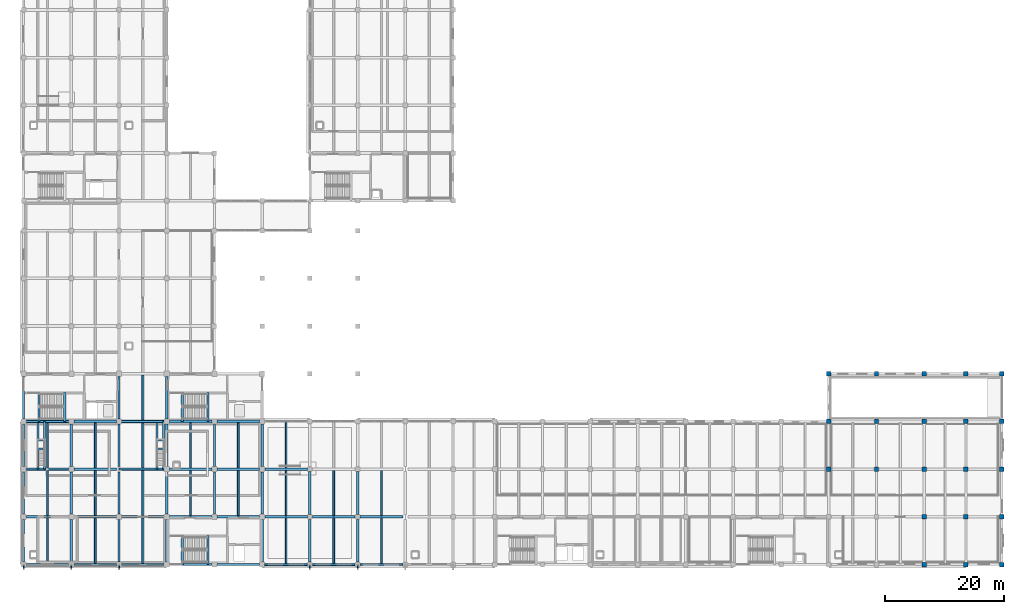
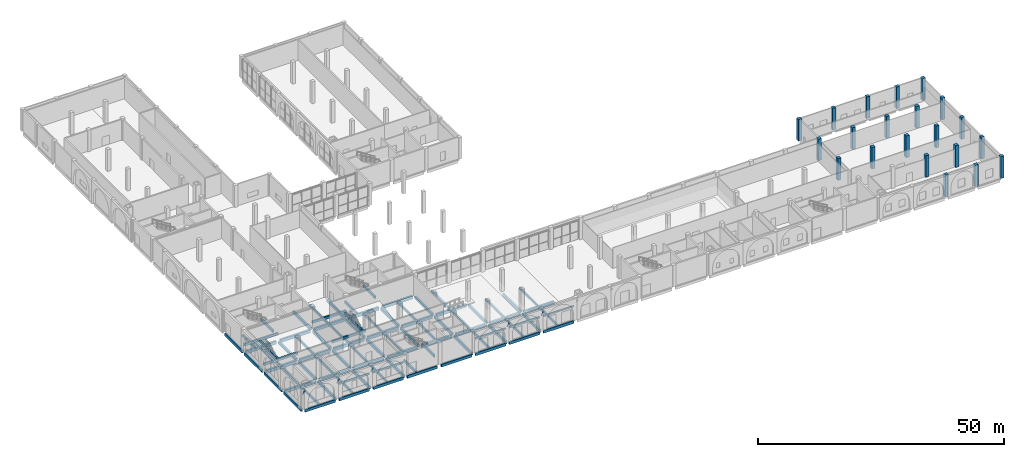
# One storey, part 2 of 40: 95 beams, 21 columns, 5 members.
"""IFC4 building model written with IfcOpenShell, lengths in metres."""

from ifc_helpers import new_model, si_unit, direction, frame, origin, origin_2d, place, context, subcontext, project, spatial, rectangle, hollow_circle, extrude, material, material_profile, profile_set, type_object, element, save


model = new_model("IFC4")

# Units and contexts
model_context = context("Model", 3, precision=1e-05, world=origin(), true_north=direction((0.0, 1.0)))
body_context = subcontext(model_context, "Body", "Model", "MODEL_VIEW")
ifc_project = project(units=[si_unit("LENGTHUNIT", "METRE"), si_unit("AREAUNIT", "SQUARE_METRE"), si_unit("VOLUMEUNIT", "CUBIC_METRE"), si_unit("PLANEANGLEUNIT", "RADIAN"), si_unit("MASSUNIT", "GRAM", prefix="KILO")], contexts=[model_context])

# Site, building, storey
site_placement = place(None, origin())
site = spatial("IfcSite", under=ifc_project, at=site_placement, CompositionType="ELEMENT")
building_placement = place(site_placement, origin())
building = spatial("IfcBuilding", under=site, at=building_placement, Name="Qorikala Patio Media Centre", CompositionType="ELEMENT")
storey_placement = place(building_placement, origin())
storey = spatial("IfcBuildingStorey", under=building, at=storey_placement, Name="L00", CompositionType="ELEMENT", Elevation=0.0)

# Columns
ifc_material_1 = material(Name="Concrete C35/45", Category="concrete")
ifc_material_profile_1 = material_profile(ifc_material_1, rectangle(XDim=0.75, YDim=0.75, at=origin_2d()), Name="RC 750x750")
ifc_profile_set_1 = profile_set([ifc_material_profile_1], Name="Concrete C35/45")
column_type_1 = type_object("IfcColumnType", Name="RC-COL-750-EXT", PredefinedType="COLUMN", material=ifc_profile_set_1)
for number, where, z_axis, x_axis, name in (
    (1, (138.0, 27.0, 0.0), (0.0, 0.0, 1.0), (1.0, 0.0, 0.0), "L00 Column (138,27)"),
    (2, (138.0, 35.0, 0.0), (0.0, 0.0, 1.0), (1.0, 0.0, 0.0), "L00 Column (138,35)"),
    (3, (146.0, 35.0, 0.0), (0.0, 0.0, 1.0), (1.0, 0.0, 0.0), "L00 Column (146,35)"),
    (4, (154.0, 3.0, 0.0), (0.0, 0.0, 1.0), (1.0, 0.0, 0.0), "L00 Column (154,3)"),
    (5, (154.0, 35.0, 0.0), (0.0, 0.0, 1.0), (1.0, 0.0, 0.0), "L00 Column (154,35)"),
    (6, (161.0, 3.0, 0.0), (0.0, 0.0, 1.0), (1.0, 0.0, 0.0), "L00 Column (161,3)"),
    (7, (161.0, 35.0, 0.0), (0.0, 0.0, 1.0), (1.0, 0.0, 0.0), "L00 Column (161,35)"),
    (8, (167.0, 3.0, 0.0), (0.0, 0.0, 1.0), (1.0, 0.0, 0.0), "L00 Column (167,3)"),
    (9, (167.0, 11.0, 0.0), (0.0, 0.0, 1.0), (1.0, 0.0, 0.0), "L00 Column (167,11)"),
    (10, (167.0, 19.0, 0.0), (0.0, 0.0, 1.0), (1.0, 0.0, 0.0), "L00 Column (167,19)"),
    (11, (167.0, 27.0, 0.0), (0.0, 0.0, 1.0), (1.0, 0.0, 0.0), "L00 Column (167,27)"),
    (12, (167.0, 35.0, 0.0), (0.0, 0.0, 1.0), (1.0, 0.0, 0.0), "L00 Column (167,35)"),
):
    element("IfcColumn", number, at=place(storey_placement, frame(where, z_axis=z_axis, x_axis=x_axis)), inside=storey, type_object=column_type_1, Name=name, PredefinedType="COLUMN", context=body_context, shape_type="SweptSolid", body=[
        extrude(rectangle(XDim=0.75, YDim=0.75, at=origin_2d()), origin(), (0.0, 0.0, 1.0), 5.39990234375),
    ])
ifc_material_profile_2 = material_profile(ifc_material_1, rectangle(XDim=0.75, YDim=0.75, at=origin_2d()), Name="RC 750x750")
ifc_profile_set_2 = profile_set([ifc_material_profile_2], Name="Concrete C35/45")
column_type_2 = type_object("IfcColumnType", Name="RC-COL-750-INT", PredefinedType="COLUMN", material=ifc_profile_set_2)
for number, where, z_axis, x_axis, name in (
    (13, (138.0, 19.0, 0.0), (0.0, 0.0, 1.0), (1.0, 0.0, 0.0), "L00 Column (138,19)"),
    (14, (146.0, 19.0, 0.0), (0.0, 0.0, 1.0), (1.0, 0.0, 0.0), "L00 Column (146,19)"),
    (15, (146.0, 27.0, 0.0), (0.0, 0.0, 1.0), (1.0, 0.0, 0.0), "L00 Column (146,27)"),
    (16, (154.0, 11.0, 0.0), (0.0, 0.0, 1.0), (1.0, 0.0, 0.0), "L00 Column (154,11)"),
    (17, (154.0, 19.0, 0.0), (0.0, 0.0, 1.0), (1.0, 0.0, 0.0), "L00 Column (154,19)"),
    (18, (154.0, 27.0, 0.0), (0.0, 0.0, 1.0), (1.0, 0.0, 0.0), "L00 Column (154,27)"),
    (19, (161.0, 11.0, 0.0), (0.0, 0.0, 1.0), (1.0, 0.0, 0.0), "L00 Column (161,11)"),
    (20, (161.0, 19.0, 0.0), (0.0, 0.0, 1.0), (1.0, 0.0, 0.0), "L00 Column (161,19)"),
    (21, (161.0, 27.0, 0.0), (0.0, 0.0, 1.0), (1.0, 0.0, 0.0), "L00 Column (161,27)"),
):
    element("IfcColumn", number, at=place(storey_placement, frame(where, z_axis=z_axis, x_axis=x_axis)), inside=storey, type_object=column_type_2, Name=name, PredefinedType="COLUMN", context=body_context, shape_type="SweptSolid", body=[
        extrude(rectangle(XDim=0.75, YDim=0.75, at=origin_2d()), origin(), (0.0, 0.0, 1.0), 5.39990234375),
    ])

# Beams
ifc_material_profile_3 = material_profile(ifc_material_1, rectangle(XDim=0.35009765625, YDim=0.60009765625, at=origin_2d()), Name="RC 350x600")
ifc_profile_set_3 = profile_set([ifc_material_profile_3], Name="Concrete C35/45")
beam_type_1 = type_object("IfcBeamType", Name="BM-G350X600", PredefinedType="BEAM", material=ifc_profile_set_3)
beam_1_placement = place(storey_placement, frame((29.60009765625, 3.0, -0.300048828125), z_axis=(0.0, 1.0, 0.0), x_axis=(-1.0, 0.0, 0.0)))
element("IfcBeam", 22, at=beam_1_placement, inside=storey, type_object=beam_type_1, Name="L00 ST-1 Well Trimmer Beam", PredefinedType="BEAM", context=body_context, shape_type="SweptSolid", body=[
    extrude(rectangle(XDim=0.35009765625, YDim=0.60009765625, at=origin_2d()), origin(), (0.0, 0.0, 1.0), 4.8798828125),
])
beam_2_placement = place(storey_placement, frame((33.909912109375, 3.02001953125, 2.199951171875), z_axis=(0.0, 1.0, 0.0), x_axis=(-1.0, 0.0, 0.0)))
element("IfcBeam", 23, at=beam_2_placement, inside=storey, type_object=beam_type_1, Name="L00 ST-1 Landing Beam 1", PredefinedType="BEAM", context=body_context, shape_type="SweptSolid", body=[
    extrude(rectangle(XDim=0.35009765625, YDim=0.60009765625, at=origin_2d()), origin(), (0.0, 0.0, 1.0), 4.85986328125),
])
beam_3_placement = place(storey_placement, frame((5.60009765625, 27.0, -0.300048828125), z_axis=(0.0, 1.0, 0.0), x_axis=(-1.0, 0.0, 0.0)))
element("IfcBeam", 24, at=beam_3_placement, inside=storey, type_object=beam_type_1, Name="L00 ST-2 Well Trimmer Beam", PredefinedType="BEAM", context=body_context, shape_type="SweptSolid", body=[
    extrude(rectangle(XDim=0.35009765625, YDim=0.60009765625, at=origin_2d()), origin(), (0.0, 0.0, 1.0), 4.8798828125),
])
beam_4_placement = place(storey_placement, frame((9.909912109375, 27.02001953125, 2.199951171875), z_axis=(0.0, 1.0, 0.0), x_axis=(-1.0, 0.0, 0.0)))
element("IfcBeam", 25, at=beam_4_placement, inside=storey, type_object=beam_type_1, Name="L00 ST-2 Landing Beam 1", PredefinedType="BEAM", context=body_context, shape_type="SweptSolid", body=[
    extrude(rectangle(XDim=0.35009765625, YDim=0.60009765625, at=origin_2d()), origin(), (0.0, 0.0, 1.0), 4.85986328125),
])
beam_5_placement = place(storey_placement, frame((29.60009765625, 27.0, -0.300048828125), z_axis=(0.0, 1.0, 0.0), x_axis=(-1.0, 0.0, 0.0)))
element("IfcBeam", 26, at=beam_5_placement, inside=storey, type_object=beam_type_1, Name="L00 ST-5 Well Trimmer Beam", PredefinedType="BEAM", context=body_context, shape_type="SweptSolid", body=[
    extrude(rectangle(XDim=0.35009765625, YDim=0.60009765625, at=origin_2d()), origin(), (0.0, 0.0, 1.0), 4.8798828125),
])
beam_6_placement = place(storey_placement, frame((33.909912109375, 27.02001953125, 2.199951171875), z_axis=(0.0, 1.0, 0.0), x_axis=(-1.0, 0.0, 0.0)))
element("IfcBeam", 27, at=beam_6_placement, inside=storey, type_object=beam_type_1, Name="L00 ST-5 Landing Beam 1", PredefinedType="BEAM", context=body_context, shape_type="SweptSolid", body=[
    extrude(rectangle(XDim=0.35009765625, YDim=0.60009765625, at=origin_2d()), origin(), (0.0, 0.0, 1.0), 4.85986328125),
])
for number, where, z_axis, x_axis, name in (
    (28, (3.0, 19.0, 1.300048828125), (1.0, 0.0, 0.0), (0.0, 1.0, 0.0), "Vomitory VS-01 Transverse Grid Beam S"),
    (29, (3.0, 27.0, 1.300048828125), (1.0, 0.0, 0.0), (0.0, 1.0, 0.0), "Vomitory VS-01 Transverse Grid Beam N"),
    (30, (5.39990234375, 19.0, 1.300048828125), (0.0, 1.0, 0.0), (-1.0, 0.0, 0.0), "Vomitory VS-01 Longitudinal Stringer L"),
    (31, (6.5, 19.0, 1.300048828125), (0.0, 1.0, 0.0), (-1.0, 0.0, 0.0), "Vomitory VS-01 Longitudinal Stringer R"),
):
    element("IfcBeam", number, at=place(storey_placement, frame(where, z_axis=z_axis, x_axis=x_axis)), inside=storey, type_object=beam_type_1, Name=name, PredefinedType="BEAM", context=body_context, shape_type="SweptSolid", body=[
        extrude(rectangle(XDim=0.35009765625, YDim=0.60009765625, at=origin_2d()), origin(), (0.0, 0.0, 1.0), 8.0),
    ])
for number, where, z_axis, x_axis, name in (
    (32, (5.39990234375, 22.39990234375, 1.300048828125), (1.0, 0.0, 0.0), (0.0, 1.0, 0.0), "Vomitory VS-01 Landing Cross Beam FR"),
    (33, (5.39990234375, 23.89990234375, 1.300048828125), (1.0, 0.0, 0.0), (0.0, 1.0, 0.0), "Vomitory VS-01 Landing Cross Beam BK"),
):
    element("IfcBeam", number, at=place(storey_placement, frame(where, z_axis=z_axis, x_axis=x_axis)), inside=storey, type_object=beam_type_1, Name=name, PredefinedType="BEAM", context=body_context, shape_type="SweptSolid", body=[
        extrude(rectangle(XDim=0.35009765625, YDim=0.60009765625, at=origin_2d()), origin(), (0.0, 0.0, 1.0), 1.10009765625),
    ])
for number, where, z_axis, x_axis, name in (
    (34, (19.0, 19.0, 1.300048828125), (1.0, 0.0, 0.0), (0.0, 1.0, 0.0), "Vomitory VS-02 Transverse Grid Beam S"),
    (35, (19.0, 27.0, 1.300048828125), (1.0, 0.0, 0.0), (0.0, 1.0, 0.0), "Vomitory VS-02 Transverse Grid Beam N"),
    (36, (25.39990234375, 19.0, 1.300048828125), (0.0, 1.0, 0.0), (-1.0, 0.0, 0.0), "Vomitory VS-02 Longitudinal Stringer L"),
    (37, (26.5, 19.0, 1.300048828125), (0.0, 1.0, 0.0), (-1.0, 0.0, 0.0), "Vomitory VS-02 Longitudinal Stringer R"),
):
    element("IfcBeam", number, at=place(storey_placement, frame(where, z_axis=z_axis, x_axis=x_axis)), inside=storey, type_object=beam_type_1, Name=name, PredefinedType="BEAM", context=body_context, shape_type="SweptSolid", body=[
        extrude(rectangle(XDim=0.35009765625, YDim=0.60009765625, at=origin_2d()), origin(), (0.0, 0.0, 1.0), 8.0),
    ])
for number, where, z_axis, x_axis, name in (
    (38, (25.39990234375, 22.39990234375, 1.300048828125), (1.0, 0.0, 0.0), (0.0, 1.0, 0.0), "Vomitory VS-02 Landing Cross Beam FR"),
    (39, (25.39990234375, 23.89990234375, 1.300048828125), (1.0, 0.0, 0.0), (0.0, 1.0, 0.0), "Vomitory VS-02 Landing Cross Beam BK"),
):
    element("IfcBeam", number, at=place(storey_placement, frame(where, z_axis=z_axis, x_axis=x_axis)), inside=storey, type_object=beam_type_1, Name=name, PredefinedType="BEAM", context=body_context, shape_type="SweptSolid", body=[
        extrude(rectangle(XDim=0.35009765625, YDim=0.60009765625, at=origin_2d()), origin(), (0.0, 0.0, 1.0), 1.10009765625),
    ])
ifc_material_profile_4 = material_profile(ifc_material_1, rectangle(XDim=0.39990234375, YDim=0.699951171875, at=origin_2d()), Name="RC 400x700")
ifc_profile_set_4 = profile_set([ifc_material_profile_4], Name="Concrete C35/45")
beam_type_2 = type_object("IfcBeamType", Name="BM-G400X700", PredefinedType="BEAM", material=ifc_profile_set_4)
for number, where, z_axis, x_axis, name in (
    (40, (11.0, 3.449951171875, -0.64990234375), (0.0, 1.0, 0.0), (-1.0, 0.0, 0.0), "L00 Grid X=11 Beam 0172"),
    (41, (11.0, 11.449951171875, -0.64990234375), (0.0, 1.0, 0.0), (-1.0, 0.0, 0.0), "L00 Grid X=11 Beam 0173"),
    (42, (11.0, 19.449951171875, -0.64990234375), (0.0, 1.0, 0.0), (-1.0, 0.0, 0.0), "L00 Grid X=11 Beam 0174"),
    (43, (19.0, 3.449951171875, -0.64990234375), (0.0, 1.0, 0.0), (-1.0, 0.0, 0.0), "L00 Grid X=19 Beam 0185"),
    (44, (19.0, 11.449951171875, -0.64990234375), (0.0, 1.0, 0.0), (-1.0, 0.0, 0.0), "L00 Grid X=19 Beam 0186"),
    (45, (19.0, 19.449951171875, -0.64990234375), (0.0, 1.0, 0.0), (-1.0, 0.0, 0.0), "L00 Grid X=19 Beam 0187"),
    (46, (19.0, 27.449951171875, -0.64990234375), (0.0, 1.0, 0.0), (-1.0, 0.0, 0.0), "L00 Grid X=19 Beam 0188"),
    (47, (27.0, 3.449951171875, -0.64990234375), (0.0, 1.0, 0.0), (-1.0, 0.0, 0.0), "L00 Grid X=27 Beam 0200"),
    (48, (27.0, 11.449951171875, -0.64990234375), (0.0, 1.0, 0.0), (-1.0, 0.0, 0.0), "L00 Grid X=27 Beam 0201"),
    (49, (27.0, 19.449951171875, -0.64990234375), (0.0, 1.0, 0.0), (-1.0, 0.0, 0.0), "L00 Grid X=27 Beam 0202"),
    (50, (27.0, 27.449951171875, -0.64990234375), (0.0, 1.0, 0.0), (-1.0, 0.0, 0.0), "L00 Grid X=27 Beam 0203"),
    (51, (35.0, 11.449951171875, -0.64990234375), (0.0, 1.0, 0.0), (-1.0, 0.0, 0.0), "L00 Grid X=35 Beam 0215"),
    (52, (35.0, 19.449951171875, -0.64990234375), (0.0, 1.0, 0.0), (-1.0, 0.0, 0.0), "L00 Grid X=35 Beam 0216"),
    (53, (43.0, 3.449951171875, -0.64990234375), (0.0, 1.0, 0.0), (-1.0, 0.0, 0.0), "L00 Grid X=43 Beam 0222"),
    (54, (43.0, 11.449951171875, -0.64990234375), (0.0, 1.0, 0.0), (-1.0, 0.0, 0.0), "L00 Grid X=43 Beam 0223"),
    (55, (43.0, 19.449951171875, -0.64990234375), (0.0, 1.0, 0.0), (-1.0, 0.0, 0.0), "L00 Grid X=43 Beam 0224"),
):
    element("IfcBeam", number, at=place(storey_placement, frame(where, z_axis=z_axis, x_axis=x_axis)), inside=storey, type_object=beam_type_2, Name=name, PredefinedType="BEAM", context=body_context, shape_type="SweptSolid", body=[
        extrude(rectangle(XDim=0.39990234375, YDim=0.699951171875, at=origin_2d()), origin(), (0.0, 0.0, 1.0), 7.10009765625),
    ])
for number, where, z_axis, x_axis, name in (
    (56, (51.0, 3.425048828125, -0.64990234375), (0.0, 1.0, 0.0), (-1.0, 0.0, 0.0), "L00 Grid X=51 Beam 0227"),
    (57, (51.0, 11.425048828125, -0.64990234375), (0.0, 1.0, 0.0), (-1.0, 0.0, 0.0), "L00 Grid X=51 Beam 0228"),
    (58, (59.0, 3.425048828125, -0.64990234375), (0.0, 1.0, 0.0), (-1.0, 0.0, 0.0), "L00 Grid X=59 Beam 0237"),
    (59, (59.0, 11.425048828125, -0.64990234375), (0.0, 1.0, 0.0), (-1.0, 0.0, 0.0), "L00 Grid X=59 Beam 0238"),
):
    element("IfcBeam", number, at=place(storey_placement, frame(where, z_axis=z_axis, x_axis=x_axis)), inside=storey, type_object=beam_type_2, Name=name, PredefinedType="BEAM", context=body_context, shape_type="SweptSolid", body=[
        extrude(rectangle(XDim=0.39990234375, YDim=0.699951171875, at=origin_2d()), origin(), (0.0, 0.0, 1.0), 7.14990234375),
    ])
ifc_material_profile_5 = material_profile(ifc_material_1, rectangle(XDim=0.449951171875, YDim=0.75, at=origin_2d()), Name="RC 450x750")
ifc_profile_set_5 = profile_set([ifc_material_profile_5], Name="Concrete C35/45")
beam_type_3 = type_object("IfcBeamType", Name="BM-G450X750", PredefinedType="BEAM", material=ifc_profile_set_5)
for number, where, z_axis, x_axis, name in (
    (60, (3.449951171875, 11.0, -0.675048828125), (1.0, 0.0, 0.0), (0.0, 1.0, 0.0), "L00 Grid 11 Beam 0022"),
    (61, (11.449951171875, 11.0, -0.675048828125), (1.0, 0.0, 0.0), (0.0, 1.0, 0.0), "L00 Grid 11 Beam 0023"),
    (62, (19.449951171875, 11.0, -0.675048828125), (1.0, 0.0, 0.0), (0.0, 1.0, 0.0), "L00 Grid 11 Beam 0024"),
    (63, (27.449951171875, 11.0, -0.675048828125), (1.0, 0.0, 0.0), (0.0, 1.0, 0.0), "L00 Grid 11 Beam 0025"),
    (64, (35.449951171875, 11.0, -0.675048828125), (1.0, 0.0, 0.0), (0.0, 1.0, 0.0), "L00 Grid 11 Beam 0026"),
):
    element("IfcBeam", number, at=place(storey_placement, frame(where, z_axis=z_axis, x_axis=x_axis)), inside=storey, type_object=beam_type_3, Name=name, PredefinedType="BEAM", context=body_context, shape_type="SweptSolid", body=[
        extrude(rectangle(XDim=0.449951171875, YDim=0.75, at=origin_2d()), origin(), (0.0, 0.0, 1.0), 7.10009765625),
    ])
beam_7_placement = place(storey_placement, frame((43.449951171875, 11.0, -0.675048828125), z_axis=(1.0, 0.0, 0.0), x_axis=(0.0, 1.0, 0.0)))
element("IfcBeam", 65, at=beam_7_placement, inside=storey, type_object=beam_type_3, Name="L00 Grid 11 Beam 0027", PredefinedType="BEAM", context=body_context, shape_type="SweptSolid", body=[
    extrude(rectangle(XDim=0.449951171875, YDim=0.75, at=origin_2d()), origin(), (0.0, 0.0, 1.0), 7.125),
])
for number, where, z_axis, x_axis, name in (
    (66, (51.425048828125, 11.0, -0.675048828125), (1.0, 0.0, 0.0), (0.0, 1.0, 0.0), "L00 Grid 11 Beam 0028"),
    (67, (59.425048828125, 11.0, -0.675048828125), (1.0, 0.0, 0.0), (0.0, 1.0, 0.0), "L00 Grid 11 Beam 0029"),
):
    element("IfcBeam", number, at=place(storey_placement, frame(where, z_axis=z_axis, x_axis=x_axis)), inside=storey, type_object=beam_type_3, Name=name, PredefinedType="BEAM", context=body_context, shape_type="SweptSolid", body=[
        extrude(rectangle(XDim=0.449951171875, YDim=0.75, at=origin_2d()), origin(), (0.0, 0.0, 1.0), 7.14990234375),
    ])
for number, where, z_axis, x_axis, name in (
    (68, (3.449951171875, 19.0, -0.675048828125), (1.0, 0.0, 0.0), (0.0, 1.0, 0.0), "L00 Grid 19 Beam 0043"),
    (69, (11.449951171875, 19.0, -0.675048828125), (1.0, 0.0, 0.0), (0.0, 1.0, 0.0), "L00 Grid 19 Beam 0044"),
    (70, (19.449951171875, 19.0, -0.675048828125), (1.0, 0.0, 0.0), (0.0, 1.0, 0.0), "L00 Grid 19 Beam 0045"),
    (71, (27.449951171875, 19.0, -0.675048828125), (1.0, 0.0, 0.0), (0.0, 1.0, 0.0), "L00 Grid 19 Beam 0046"),
    (72, (35.449951171875, 19.0, -0.675048828125), (1.0, 0.0, 0.0), (0.0, 1.0, 0.0), "L00 Grid 19 Beam 0047"),
):
    element("IfcBeam", number, at=place(storey_placement, frame(where, z_axis=z_axis, x_axis=x_axis)), inside=storey, type_object=beam_type_3, Name=name, PredefinedType="BEAM", context=body_context, shape_type="SweptSolid", body=[
        extrude(rectangle(XDim=0.449951171875, YDim=0.75, at=origin_2d()), origin(), (0.0, 0.0, 1.0), 7.10009765625),
    ])
beam_8_placement = place(storey_placement, frame((43.449951171875, 19.0, -0.675048828125), z_axis=(1.0, 0.0, 0.0), x_axis=(0.0, 1.0, 0.0)))
element("IfcBeam", 73, at=beam_8_placement, inside=storey, type_object=beam_type_3, Name="L00 Grid 19 Beam 0048", PredefinedType="BEAM", context=body_context, shape_type="SweptSolid", body=[
    extrude(rectangle(XDim=0.449951171875, YDim=0.75, at=origin_2d()), origin(), (0.0, 0.0, 1.0), 7.125),
])
for number, where, z_axis, x_axis, name in (
    (74, (3.449951171875, 27.0, -0.675048828125), (1.0, 0.0, 0.0), (0.0, 1.0, 0.0), "L00 Grid 27 Beam 0064"),
    (75, (11.449951171875, 27.0, -0.675048828125), (1.0, 0.0, 0.0), (0.0, 1.0, 0.0), "L00 Grid 27 Beam 0065"),
    (76, (19.449951171875, 27.0, -0.675048828125), (1.0, 0.0, 0.0), (0.0, 1.0, 0.0), "L00 Grid 27 Beam 0066"),
    (77, (27.449951171875, 27.0, -0.675048828125), (1.0, 0.0, 0.0), (0.0, 1.0, 0.0), "L00 Grid 27 Beam 0067"),
    (78, (35.449951171875, 27.0, -0.675048828125), (1.0, 0.0, 0.0), (0.0, 1.0, 0.0), "L00 Grid 27 Beam 0068"),
):
    element("IfcBeam", number, at=place(storey_placement, frame(where, z_axis=z_axis, x_axis=x_axis)), inside=storey, type_object=beam_type_3, Name=name, PredefinedType="BEAM", context=body_context, shape_type="SweptSolid", body=[
        extrude(rectangle(XDim=0.449951171875, YDim=0.75, at=origin_2d()), origin(), (0.0, 0.0, 1.0), 7.10009765625),
    ])

# Members
ifc_material_2 = material(Name="Steel S355", Category="steel")
ifc_material_profile_6 = material_profile(ifc_material_2, hollow_circle(Radius=0.084228515625, WallThickness=0.008056640625, at=origin_2d()), Name="CHS168X8")
ifc_profile_set_6 = profile_set([ifc_material_profile_6], Name="Steel S355")
member_type = type_object("IfcMemberType", Name="BRACE-CHS168", PredefinedType="BRACE", material=ifc_profile_set_6)
for number, where, z_axis, x_axis, name in (
    (79, (3.0, 3.0, 3.60009765625), (0.0, -0.485683201418, 0.874134902552), (1.0, 0.0, 0.0), "Entrance Canopy Knee Brace 1"),
    (80, (11.0, 3.0, 3.60009765625), (0.0, -0.485683201418, 0.874134902552), (1.0, 0.0, 0.0), "Entrance Canopy Knee Brace 2"),
    (81, (19.0, 3.0, 3.60009765625), (0.0, -0.485683201418, 0.874134902552), (1.0, 0.0, 0.0), "Entrance Canopy Knee Brace 3"),
    (82, (51.0, 3.0, 3.60009765625), (0.0, -0.485683201418, 0.874134902552), (1.0, 0.0, 0.0), "Entrance Canopy Knee Brace 4"),
    (83, (59.0, 3.0, 3.60009765625), (0.0, -0.485683201418, 0.874134902552), (1.0, 0.0, 0.0), "Entrance Canopy Knee Brace 5"),
):
    element("IfcMember", number, at=place(storey_placement, frame(where, z_axis=z_axis, x_axis=x_axis)), inside=storey, type_object=member_type, Name=name, PredefinedType="BRACE", context=body_context, shape_type="SweptSolid", body=[
        extrude(hollow_circle(Radius=0.084228515625, WallThickness=0.008056640625, at=origin_2d()), origin(), (0.0, 0.0, 1.0), 1.544189453125),
    ])

# Beams
ifc_material_profile_7 = material_profile(ifc_material_1, rectangle(XDim=0.300048828125, YDim=0.550048828125, at=origin_2d()), Name="RC 300x550")
ifc_profile_set_7 = profile_set([ifc_material_profile_7], Name="Concrete C35/45")
beam_type_4 = type_object("IfcBeamType", Name="JS-300X550", PredefinedType="JOIST", material=ifc_profile_set_7)
beam_9_placement = place(storey_placement, frame((7.0, 3.175048828125, -0.574951171875), z_axis=(0.0, 1.0, 0.0), x_axis=(-1.0, 0.0, 0.0)))
element("IfcBeam", 84, at=beam_9_placement, inside=storey, type_object=beam_type_4, Name="L00 Secondary Joist 0299", PredefinedType="JOIST", context=body_context, shape_type="SweptSolid", body=[
    extrude(rectangle(XDim=0.300048828125, YDim=0.550048828125, at=origin_2d()), origin(), (0.0, 0.0, 1.0), 7.599853515625),
])
for number, where, z_axis, x_axis, name in (
    (85, (7.0, 11.22509765625, -0.574951171875), (0.0, 1.0, 0.0), (-1.0, 0.0, 0.0), "L00 Secondary Joist 0300"),
    (86, (7.0, 19.22509765625, -0.574951171875), (0.0, 1.0, 0.0), (-1.0, 0.0, 0.0), "L00 Secondary Joist 0301"),
):
    element("IfcBeam", number, at=place(storey_placement, frame(where, z_axis=z_axis, x_axis=x_axis)), inside=storey, type_object=beam_type_4, Name=name, PredefinedType="JOIST", context=body_context, shape_type="SweptSolid", body=[
        extrude(rectangle(XDim=0.300048828125, YDim=0.550048828125, at=origin_2d()), origin(), (0.0, 0.0, 1.0), 7.5498046875),
    ])
beam_10_placement = place(storey_placement, frame((15.0, 3.175048828125, -0.574951171875), z_axis=(0.0, 1.0, 0.0), x_axis=(-1.0, 0.0, 0.0)))
element("IfcBeam", 87, at=beam_10_placement, inside=storey, type_object=beam_type_4, Name="L00 Secondary Joist 0310", PredefinedType="JOIST", context=body_context, shape_type="SweptSolid", body=[
    extrude(rectangle(XDim=0.300048828125, YDim=0.550048828125, at=origin_2d()), origin(), (0.0, 0.0, 1.0), 7.599853515625),
])
for number, where, z_axis, x_axis, name in (
    (88, (15.0, 11.22509765625, -0.574951171875), (0.0, 1.0, 0.0), (-1.0, 0.0, 0.0), "L00 Secondary Joist 0311"),
    (89, (15.0, 19.22509765625, -0.574951171875), (0.0, 1.0, 0.0), (-1.0, 0.0, 0.0), "L00 Secondary Joist 0312"),
):
    element("IfcBeam", number, at=place(storey_placement, frame(where, z_axis=z_axis, x_axis=x_axis)), inside=storey, type_object=beam_type_4, Name=name, PredefinedType="JOIST", context=body_context, shape_type="SweptSolid", body=[
        extrude(rectangle(XDim=0.300048828125, YDim=0.550048828125, at=origin_2d()), origin(), (0.0, 0.0, 1.0), 7.5498046875),
    ])
beam_11_placement = place(storey_placement, frame((23.0, 3.175048828125, -0.574951171875), z_axis=(0.0, 1.0, 0.0), x_axis=(-1.0, 0.0, 0.0)))
element("IfcBeam", 90, at=beam_11_placement, inside=storey, type_object=beam_type_4, Name="L00 Secondary Joist 0321", PredefinedType="JOIST", context=body_context, shape_type="SweptSolid", body=[
    extrude(rectangle(XDim=0.300048828125, YDim=0.550048828125, at=origin_2d()), origin(), (0.0, 0.0, 1.0), 7.599853515625),
])
for number, where, z_axis, x_axis, name in (
    (91, (23.0, 11.22509765625, -0.574951171875), (0.0, 1.0, 0.0), (-1.0, 0.0, 0.0), "L00 Secondary Joist 0322"),
    (92, (23.0, 19.22509765625, -0.574951171875), (0.0, 1.0, 0.0), (-1.0, 0.0, 0.0), "L00 Secondary Joist 0323"),
    (93, (23.0, 27.22509765625, -0.574951171875), (0.0, 1.0, 0.0), (-1.0, 0.0, 0.0), "L00 Secondary Joist 0324"),
    (94, (31.0, 11.22509765625, -0.574951171875), (0.0, 1.0, 0.0), (-1.0, 0.0, 0.0), "L00 Secondary Joist 0334"),
    (95, (31.0, 19.22509765625, -0.574951171875), (0.0, 1.0, 0.0), (-1.0, 0.0, 0.0), "L00 Secondary Joist 0335"),
    (96, (39.0, 11.22509765625, -0.574951171875), (0.0, 1.0, 0.0), (-1.0, 0.0, 0.0), "L00 Secondary Joist 0340"),
    (97, (39.0, 19.22509765625, -0.574951171875), (0.0, 1.0, 0.0), (-1.0, 0.0, 0.0), "L00 Secondary Joist 0341"),
):
    element("IfcBeam", number, at=place(storey_placement, frame(where, z_axis=z_axis, x_axis=x_axis)), inside=storey, type_object=beam_type_4, Name=name, PredefinedType="JOIST", context=body_context, shape_type="SweptSolid", body=[
        extrude(rectangle(XDim=0.300048828125, YDim=0.550048828125, at=origin_2d()), origin(), (0.0, 0.0, 1.0), 7.5498046875),
    ])
beam_12_placement = place(storey_placement, frame((47.0, 3.175048828125, -0.574951171875), z_axis=(0.0, 1.0, 0.0), x_axis=(-1.0, 0.0, 0.0)))
element("IfcBeam", 98, at=beam_12_placement, inside=storey, type_object=beam_type_4, Name="L00 Secondary Joist 0342", PredefinedType="JOIST", context=body_context, shape_type="SweptSolid", body=[
    extrude(rectangle(XDim=0.300048828125, YDim=0.550048828125, at=origin_2d()), origin(), (0.0, 0.0, 1.0), 7.599853515625),
])
beam_13_placement = place(storey_placement, frame((47.0, 11.22509765625, -0.574951171875), z_axis=(0.0, 1.0, 0.0), x_axis=(-1.0, 0.0, 0.0)))
element("IfcBeam", 99, at=beam_13_placement, inside=storey, type_object=beam_type_4, Name="L00 Secondary Joist 0343", PredefinedType="JOIST", context=body_context, shape_type="SweptSolid", body=[
    extrude(rectangle(XDim=0.300048828125, YDim=0.550048828125, at=origin_2d()), origin(), (0.0, 0.0, 1.0), 7.5498046875),
])
for number, where, z_axis, x_axis, name in (
    (100, (47.0, 19.22509765625, -0.574951171875), (0.0, 1.0, 0.0), (-1.0, 0.0, 0.0), "L00 Secondary Joist 0344"),
    (101, (55.0, 3.175048828125, -0.574951171875), (0.0, 1.0, 0.0), (-1.0, 0.0, 0.0), "L00 Secondary Joist 0345"),
):
    element("IfcBeam", number, at=place(storey_placement, frame(where, z_axis=z_axis, x_axis=x_axis)), inside=storey, type_object=beam_type_4, Name=name, PredefinedType="JOIST", context=body_context, shape_type="SweptSolid", body=[
        extrude(rectangle(XDim=0.300048828125, YDim=0.550048828125, at=origin_2d()), origin(), (0.0, 0.0, 1.0), 7.599853515625),
    ])
beam_14_placement = place(storey_placement, frame((55.0, 11.22509765625, -0.574951171875), z_axis=(0.0, 1.0, 0.0), x_axis=(-1.0, 0.0, 0.0)))
element("IfcBeam", 102, at=beam_14_placement, inside=storey, type_object=beam_type_4, Name="L00 Secondary Joist 0346", PredefinedType="JOIST", context=body_context, shape_type="SweptSolid", body=[
    extrude(rectangle(XDim=0.300048828125, YDim=0.550048828125, at=origin_2d()), origin(), (0.0, 0.0, 1.0), 7.5498046875),
])
beam_15_placement = place(storey_placement, frame((63.0, 3.175048828125, -0.574951171875), z_axis=(0.0, 1.0, 0.0), x_axis=(-1.0, 0.0, 0.0)))
element("IfcBeam", 103, at=beam_15_placement, inside=storey, type_object=beam_type_4, Name="L00 Secondary Joist 0353", PredefinedType="JOIST", context=body_context, shape_type="SweptSolid", body=[
    extrude(rectangle(XDim=0.300048828125, YDim=0.550048828125, at=origin_2d()), origin(), (0.0, 0.0, 1.0), 7.599853515625),
])
beam_16_placement = place(storey_placement, frame((63.0, 11.22509765625, -0.574951171875), z_axis=(0.0, 1.0, 0.0), x_axis=(-1.0, 0.0, 0.0)))
element("IfcBeam", 104, at=beam_16_placement, inside=storey, type_object=beam_type_4, Name="L00 Secondary Joist 0354", PredefinedType="JOIST", context=body_context, shape_type="SweptSolid", body=[
    extrude(rectangle(XDim=0.300048828125, YDim=0.550048828125, at=origin_2d()), origin(), (0.0, 0.0, 1.0), 7.5498046875),
])
ifc_material_3 = material(Name="Precast concrete C40/50", Category="concrete")
ifc_material_profile_8 = material_profile(ifc_material_3, rectangle(XDim=0.260009765625, YDim=0.360107421875, at=origin_2d()), Name="RC 260x360")
ifc_profile_set_8 = profile_set([ifc_material_profile_8], Name="Precast concrete C40/50")
beam_type_5 = type_object("IfcBeamType", Name="LN-260X360", PredefinedType="LINTEL", material=ifc_profile_set_8)
beam_17_placement = place(storey_placement, frame((59.449951171875, 3.0, 3.22998046875), z_axis=(1.0, 0.0, 0.0), x_axis=(0.0, 1.0, 0.0)))
element("IfcBeam", 105, at=beam_17_placement, inside=storey, type_object=beam_type_5, Name="L00 Precast Arcade Lintel 05", PredefinedType="LINTEL", context=body_context, shape_type="SweptSolid", body=[
    extrude(rectangle(XDim=0.260009765625, YDim=0.360107421875, at=origin_2d()), origin(), (0.0, 0.0, 1.0), 7.10009765625),
])
ifc_material_profile_9 = material_profile(ifc_material_3, rectangle(XDim=0.300048828125, YDim=0.419921875, at=origin_2d()), Name="RC 300x420")
ifc_profile_set_9 = profile_set([ifc_material_profile_9], Name="Precast concrete C40/50")
beam_type_6 = type_object("IfcBeamType", Name="LN-300X420", PredefinedType="LINTEL", material=ifc_profile_set_9)
for number, where, z_axis, x_axis, name in (
    (106, (11.449951171875, 3.0, 3.260009765625), (1.0, 0.0, 0.0), (0.0, 1.0, 0.0), "L00 Precast Arcade Lintel 01"),
    (107, (19.449951171875, 3.0, 3.260009765625), (1.0, 0.0, 0.0), (0.0, 1.0, 0.0), "L00 Precast Arcade Lintel 02"),
    (108, (43.449951171875, 3.0, 3.260009765625), (1.0, 0.0, 0.0), (0.0, 1.0, 0.0), "L00 Precast Arcade Lintel 03"),
    (109, (51.449951171875, 3.0, 3.260009765625), (1.0, 0.0, 0.0), (0.0, 1.0, 0.0), "L00 Precast Arcade Lintel 04"),
):
    element("IfcBeam", number, at=place(storey_placement, frame(where, z_axis=z_axis, x_axis=x_axis)), inside=storey, type_object=beam_type_6, Name=name, PredefinedType="LINTEL", context=body_context, shape_type="SweptSolid", body=[
        extrude(rectangle(XDim=0.300048828125, YDim=0.419921875, at=origin_2d()), origin(), (0.0, 0.0, 1.0), 7.10009765625),
    ])
ifc_material_profile_10 = material_profile(ifc_material_1, rectangle(XDim=0.35009765625, YDim=0.679931640625, at=origin_2d()), Name="RC 350x680")
ifc_profile_set_10 = profile_set([ifc_material_profile_10], Name="Concrete C35/45")
beam_type_7 = type_object("IfcBeamType", Name="SP-350X680", PredefinedType="SPANDREL", material=ifc_profile_set_10)
for number, where, z_axis, x_axis, name in (
    (110, (3.449951171875, 3.0, -0.639892578125), (1.0, 0.0, 0.0), (0.0, 1.0, 0.0), "L00 Grid 3 Beam 0001"),
    (111, (11.449951171875, 3.0, -0.639892578125), (1.0, 0.0, 0.0), (0.0, 1.0, 0.0), "L00 Grid 3 Beam 0002"),
    (112, (19.449951171875, 3.0, -0.639892578125), (1.0, 0.0, 0.0), (0.0, 1.0, 0.0), "L00 Grid 3 Beam 0003"),
    (113, (27.449951171875, 3.0, -0.639892578125), (1.0, 0.0, 0.0), (0.0, 1.0, 0.0), "L00 Grid 3 Beam 0004"),
    (114, (35.449951171875, 3.0, -0.639892578125), (1.0, 0.0, 0.0), (0.0, 1.0, 0.0), "L00 Grid 3 Beam 0005"),
):
    element("IfcBeam", number, at=place(storey_placement, frame(where, z_axis=z_axis, x_axis=x_axis)), inside=storey, type_object=beam_type_7, Name=name, PredefinedType="SPANDREL", context=body_context, shape_type="SweptSolid", body=[
        extrude(rectangle(XDim=0.35009765625, YDim=0.679931640625, at=origin_2d()), origin(), (0.0, 0.0, 1.0), 7.10009765625),
    ])
beam_18_placement = place(storey_placement, frame((43.449951171875, 3.0, -0.639892578125), z_axis=(1.0, 0.0, 0.0), x_axis=(0.0, 1.0, 0.0)))
element("IfcBeam", 115, at=beam_18_placement, inside=storey, type_object=beam_type_7, Name="L00 Grid 3 Beam 0006", PredefinedType="SPANDREL", context=body_context, shape_type="SweptSolid", body=[
    extrude(rectangle(XDim=0.35009765625, YDim=0.679931640625, at=origin_2d()), origin(), (0.0, 0.0, 1.0), 7.125),
])
for number, where, z_axis, x_axis, name in (
    (116, (51.425048828125, 3.0, -0.639892578125), (1.0, 0.0, 0.0), (0.0, 1.0, 0.0), "L00 Grid 3 Beam 0007"),
    (117, (59.425048828125, 3.0, -0.639892578125), (1.0, 0.0, 0.0), (0.0, 1.0, 0.0), "L00 Grid 3 Beam 0008"),
):
    element("IfcBeam", number, at=place(storey_placement, frame(where, z_axis=z_axis, x_axis=x_axis)), inside=storey, type_object=beam_type_7, Name=name, PredefinedType="SPANDREL", context=body_context, shape_type="SweptSolid", body=[
        extrude(rectangle(XDim=0.35009765625, YDim=0.679931640625, at=origin_2d()), origin(), (0.0, 0.0, 1.0), 7.14990234375),
    ])
for number, where, z_axis, x_axis, name in (
    (118, (3.0, 3.449951171875, -0.639892578125), (0.0, 1.0, 0.0), (-1.0, 0.0, 0.0), "L00 Grid X=3 Beam 0157"),
    (119, (3.0, 11.449951171875, -0.639892578125), (0.0, 1.0, 0.0), (-1.0, 0.0, 0.0), "L00 Grid X=3 Beam 0158"),
    (120, (3.0, 19.449951171875, -0.639892578125), (0.0, 1.0, 0.0), (-1.0, 0.0, 0.0), "L00 Grid X=3 Beam 0159"),
    (121, (3.0, 27.449951171875, -0.639892578125), (0.0, 1.0, 0.0), (-1.0, 0.0, 0.0), "L00 Grid X=3 Beam 0160"),
):
    element("IfcBeam", number, at=place(storey_placement, frame(where, z_axis=z_axis, x_axis=x_axis)), inside=storey, type_object=beam_type_7, Name=name, PredefinedType="SPANDREL", context=body_context, shape_type="SweptSolid", body=[
        extrude(rectangle(XDim=0.35009765625, YDim=0.679931640625, at=origin_2d()), origin(), (0.0, 0.0, 1.0), 7.10009765625),
    ])

save(model, "model.ifc")
